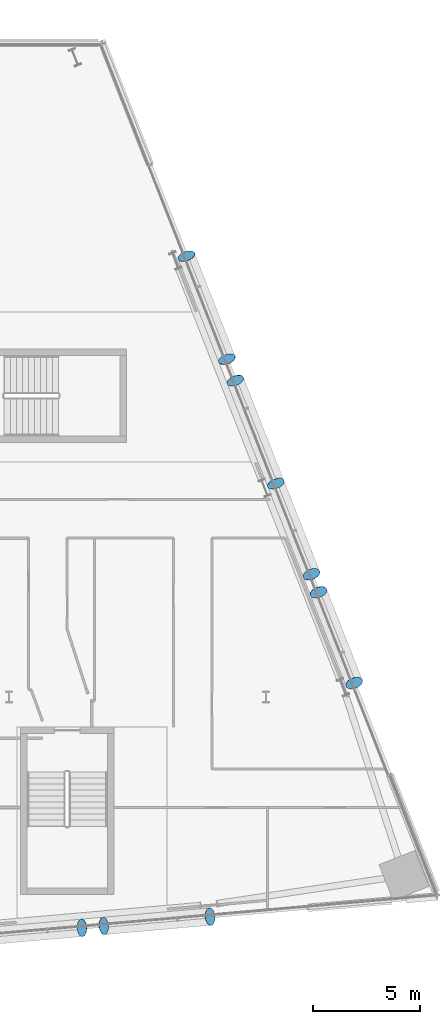
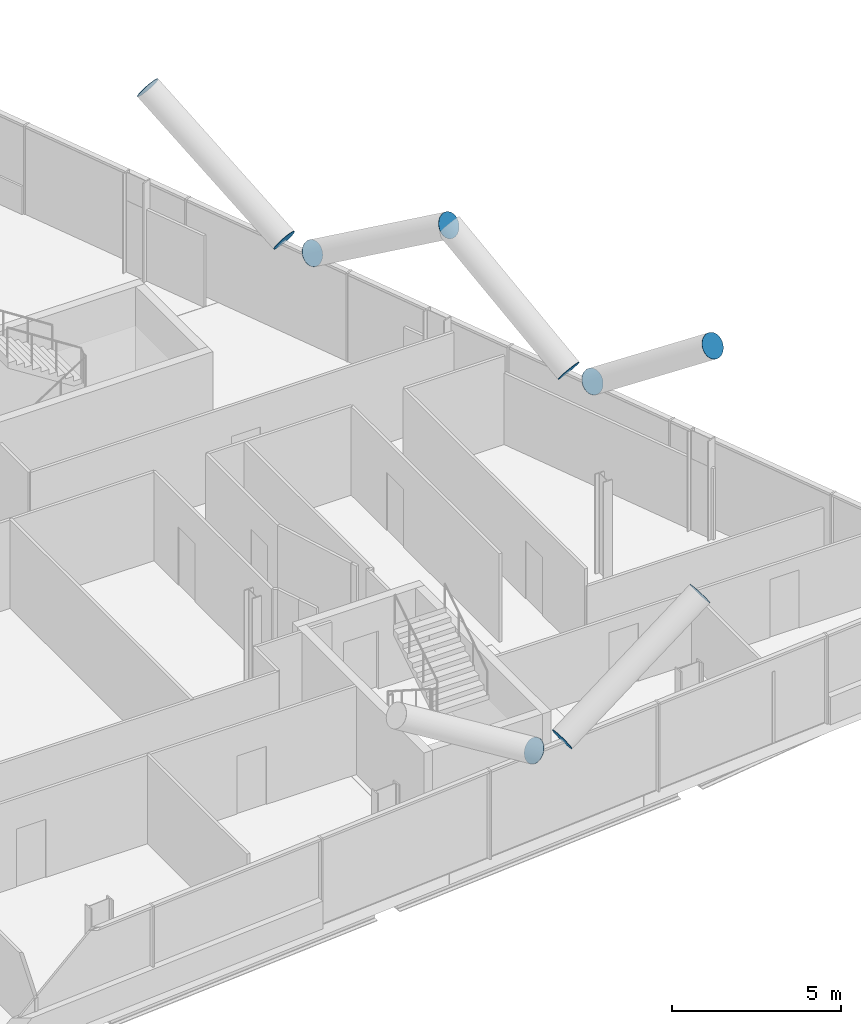
# One storey, part 24 of 28: 10 discrete accessories.
"""IFC4 building model written with IfcOpenShell, lengths in metres."""

from ifc_helpers import new_model, si_unit, direction, frame, origin, origin_2d, place, context, subcontext, project, spatial, circle, extrude, material, material_profile, profile_set, type_object, element, save


model = new_model("IFC4")

# Units and contexts
model_context = context("Model", 3, precision=1e-05, world=origin(), true_north=direction((0.0, 1.0)))
body_context = subcontext(model_context, "Body", "Model", "MODEL_VIEW")
ifc_project = project(units=[si_unit("LENGTHUNIT", "METRE"), si_unit("AREAUNIT", "SQUARE_METRE"), si_unit("VOLUMEUNIT", "CUBIC_METRE"), si_unit("PLANEANGLEUNIT", "RADIAN"), si_unit("MASSUNIT", "GRAM", prefix="KILO")], contexts=[model_context])

# Site, building, storey
site_placement = place(None, origin())
site = spatial("IfcSite", under=ifc_project, at=site_placement, CompositionType="ELEMENT")
building_placement = place(site_placement, origin())
building = spatial("IfcBuilding", under=site, at=building_placement, Name="Wharfspan Tower", CompositionType="ELEMENT")
storey_placement = place(building_placement, frame((0.0, 0.0, 132.699951)))
storey = spatial("IfcBuildingStorey", under=building, at=storey_placement, Name="L31", CompositionType="ELEMENT", Elevation=132.699951)

# Discrete accessories
ifc_material = material(Name="Steel S460NH", Category="steel")
ifc_material_profile = material_profile(ifc_material, circle(Radius=0.406494, at=origin_2d()))
ifc_profile_set = profile_set([ifc_material_profile], Name="Steel S460NH")
discrete_accessory_type = type_object("IfcDiscreteAccessoryType", Name="End plate CHS 813x40", PredefinedType="BRACKET", material=ifc_profile_set)
for number, where, z_axis, x_axis, name in (
    (1, (76.418457, 0.821777, 3.232422), (0.844416, 0.072379, 0.530776), (-0.085402, 0.99635, 0.0), "End plate CHS 813x40"),
    (2, (81.376221, 1.255371, 6.5), (0.82608, 0.072889, 0.558819), (-0.087894, 0.99613, 1e-06), "End plate CHS 813x40"),
    (3, (75.410156, 0.733398, 3.232422), (-0.838548, -0.049326, 0.54259), (0.058722, -0.99827, 1e-06), "End plate CHS 813x40"),
    (4, (82.171143, 27.249756, 3.236328), (-0.289598, 0.796395, 0.53093), (-0.939792, -0.341743, 1e-06), "End plate CHS 813x40"),
    (5, (80.282471, 32.05542, 6.5), (-0.289598, 0.796395, 0.53093), (-0.939792, -0.341743, 1e-06), "End plate CHS 813x40"),
    (6, (82.560303, 26.259521, 3.236328), (0.317451, -0.781418, 0.537225), (0.92647, 0.376377, -2e-06), "End plate CHS 813x40"),
):
    element("IfcDiscreteAccessory", number, at=place(storey_placement, frame(where, z_axis=z_axis, x_axis=x_axis)), inside=storey, type_object=discrete_accessory_type, Name=name, PredefinedType="BRACKET", context=body_context, shape_type="SweptSolid", body=[
        extrude(circle(Radius=0.406494, at=origin_2d()), origin(), (0.0, 0.0, 1.0), 0.01001),
    ])
discrete_accessory_placement = place(storey_placement, frame((84.448975, 21.454102, 6.5), z_axis=(0.311472, -0.79066, 0.527107), x_axis=(0.93041, 0.366525, 0.0)))
element("IfcDiscreteAccessory", 7, at=discrete_accessory_placement, inside=storey, type_object=discrete_accessory_type, Name="End plate CHS 813x40", PredefinedType="BRACKET", context=body_context, shape_type="SweptSolid", body=[
    extrude(circle(Radius=0.406494, at=origin_2d()), origin(), (0.0, 0.0, 1.0), 0.010254),
])
for number, where, z_axis, x_axis, name in (
    (8, (86.112793, 17.220459, 3.221924), (-0.292683, 0.756098, 0.585366), (-0.932565, -0.360992, -1e-06), "End plate CHS 813x40"),
    (9, (86.439697, 16.388916, 3.221924), (0.292683, -0.756098, 0.585366), (0.932565, 0.360992, -1e-06), "End plate CHS 813x40"),
    (10, (88.103516, 12.155518, 6.5), (0.292683, -0.756098, 0.585366), (0.932565, 0.360992, -1e-06), "End plate CHS 813x40"),
):
    element("IfcDiscreteAccessory", number, at=place(storey_placement, frame(where, z_axis=z_axis, x_axis=x_axis)), inside=storey, type_object=discrete_accessory_type, Name=name, PredefinedType="BRACKET", context=body_context, shape_type="SweptSolid", body=[
        extrude(circle(Radius=0.406494, at=origin_2d()), origin(), (0.0, 0.0, 1.0), 0.01001),
    ])

save(model, "model.ifc")
